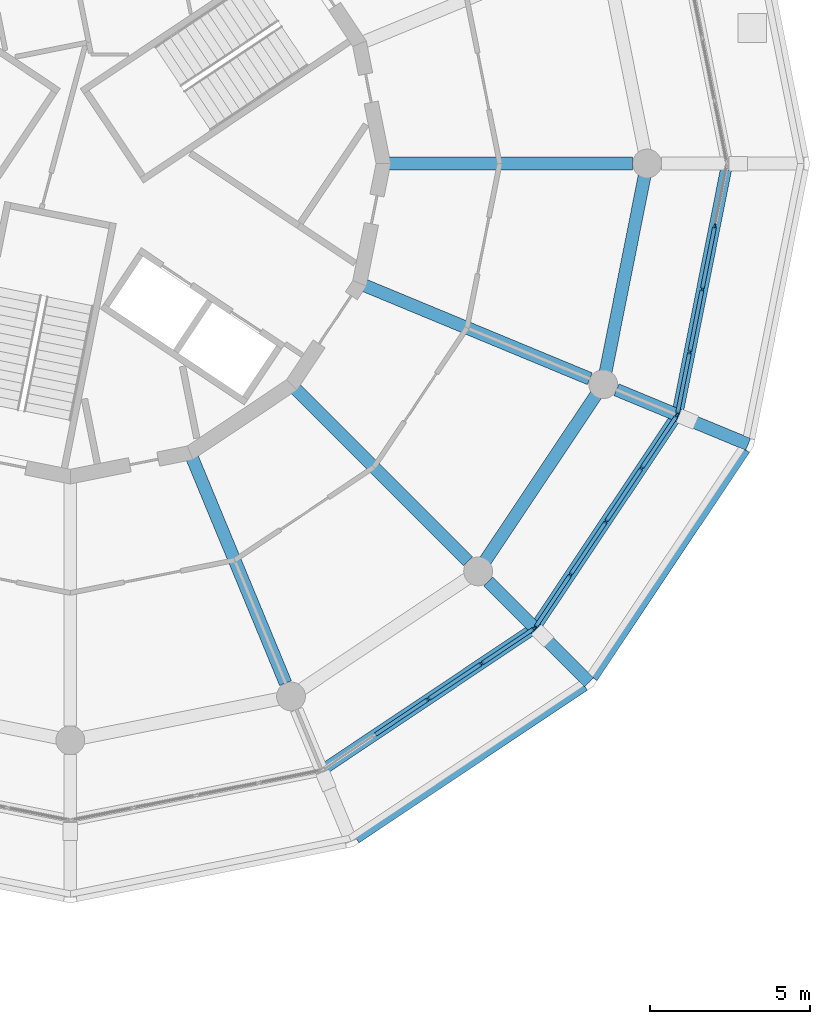
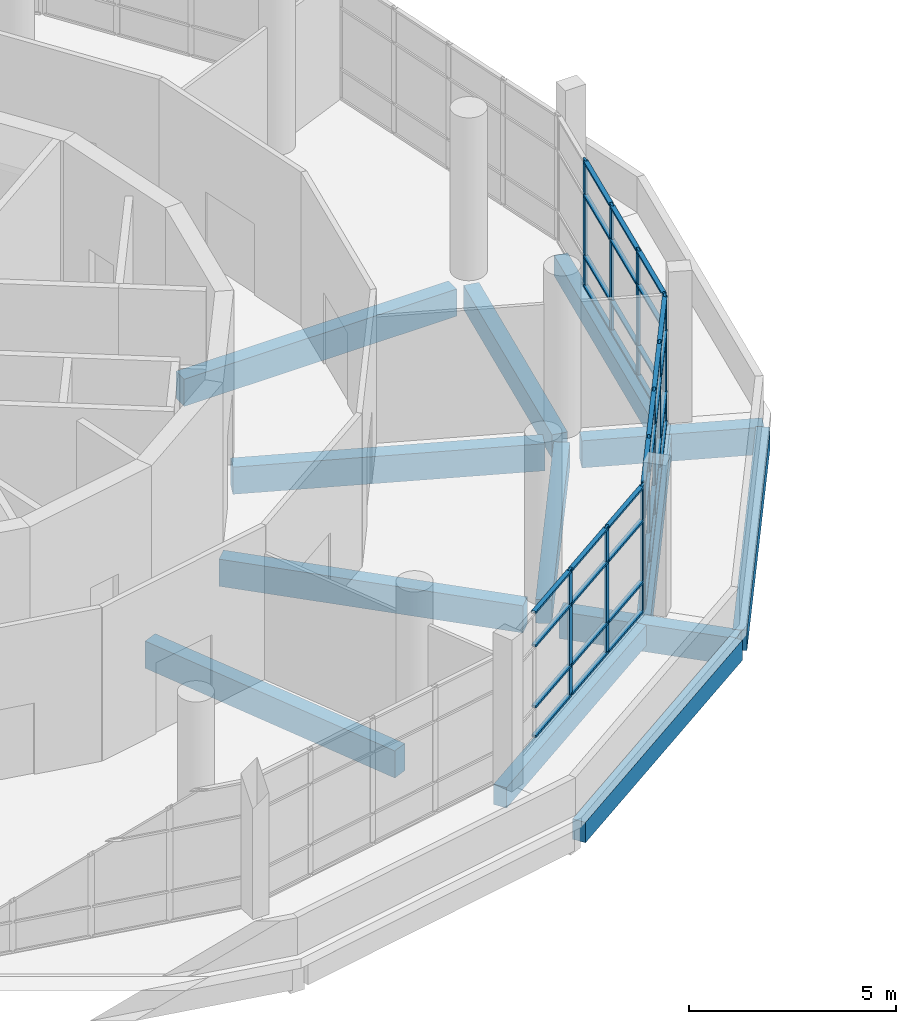
# One storey, part 6 of 21: 52 members, 13 beams, 3 elements without a shape of their own.
"""IFC4 building model written with IfcOpenShell, lengths in metres."""

from ifc_helpers import new_model, si_unit, direction, frame, origin, origin_2d, place, context, subcontext, project, spatial, rectangle, extrude, material, material_profile, profile_set, type_object, element, aggregate, save


model = new_model("IFC4")

# Units and contexts
model_context = context("Model", 3, precision=1e-05, world=origin(), true_north=direction((0.0, 1.0)))
body_context = subcontext(model_context, "Body", "Model", "MODEL_VIEW")
ifc_project = project(units=[si_unit("LENGTHUNIT", "METRE"), si_unit("AREAUNIT", "SQUARE_METRE"), si_unit("VOLUMEUNIT", "CUBIC_METRE"), si_unit("PLANEANGLEUNIT", "RADIAN"), si_unit("MASSUNIT", "GRAM", prefix="KILO")], contexts=[model_context])

# Site, building, storey
site_placement = place(None, origin())
site = spatial("IfcSite", under=ifc_project, at=site_placement, CompositionType="ELEMENT")
building_placement = place(site_placement, origin())
building = spatial("IfcBuilding", under=site, at=building_placement, Name="Ceibo Conservatory and Research Tower", CompositionType="ELEMENT")
storey_placement = place(building_placement, frame((0.0, 0.0, 15.60009765625)))
storey = spatial("IfcBuildingStorey", under=building, at=storey_placement, Name="L03", CompositionType="ELEMENT", Elevation=15.60009765625)

# Curtain wall, members
ifc_material_1 = material(Name="Aluminium and glass", Category="aluminium")
curtain_wall_type = type_object("IfcCurtainWallType", Name="Curtain wall CW1", PredefinedType="NOTDEFINED", material=ifc_material_1)
curtain_wall_1_placement = place(storey_placement, origin())
curtain_wall_1 = element("IfcCurtainWall", 1, at=curtain_wall_1_placement, inside=storey, type_object=curtain_wall_type, Name="CW-03.14", PredefinedType="NOTDEFINED")
ifc_material_2 = material(Name="Aluminium", Category="aluminium")
ifc_material_profile_1 = material_profile(ifc_material_2, rectangle(XDim=0.06005859375, YDim=0.159912109375, at=origin_2d()), Name="Aluminium 60 x 160")
ifc_profile_set_1 = profile_set([ifc_material_profile_1], Name="Aluminium")
member_type_1 = type_object("IfcMemberType", Name="Aluminium mullion 60 x 160", PredefinedType="MULLION", material=ifc_profile_set_1)
member_1_placement = place(storey_placement, frame((59.17041015625, 103.282470703125, 0.0), z_axis=(0.0, 0.0, 1.0), x_axis=(-0.555570178092, 0.831469649004, 0.0)))
member_1 = element("IfcMember", 2, at=member_1_placement, type_object=member_type_1, Name="CW-03.14 mullion 3", PredefinedType="MULLION", context=body_context, shape_type="SweptSolid", body=[
    extrude(rectangle(XDim=0.06005859375, YDim=0.159912109375, at=origin_2d()), origin(), (0.0, 0.0, 1.0), 3.719970703125),
])
member_2_placement = place(storey_placement, frame((60.8330078125, 104.393310546875, 0.0), z_axis=(0.0, 0.0, 1.0), x_axis=(-0.555570178092, 0.831469649004, 0.0)))
member_2 = element("IfcMember", 3, at=member_2_placement, type_object=member_type_1, Name="CW-03.14 mullion 4", PredefinedType="MULLION", context=body_context, shape_type="SweptSolid", body=[
    extrude(rectangle(XDim=0.06005859375, YDim=0.159912109375, at=origin_2d()), origin(), (0.0, 0.0, 1.0), 3.719970703125),
])
member_3_placement = place(storey_placement, frame((62.470703125, 105.487548828125, 0.0), z_axis=(0.0, 0.0, 1.0), x_axis=(-0.555570178092, 0.831469649004, 0.0)))
member_3 = element("IfcMember", 4, at=member_3_placement, type_object=member_type_1, Name="CW-03.14 mullion 5", PredefinedType="MULLION", context=body_context, shape_type="SweptSolid", body=[
    extrude(rectangle(XDim=0.06005859375, YDim=0.159912109375, at=origin_2d()), origin(), (0.0, 0.0, 1.0), 3.719970703125),
])

curtain_wall_2_placement = place(storey_placement, origin())
curtain_wall_2 = element("IfcCurtainWall", 5, at=curtain_wall_2_placement, inside=storey, type_object=curtain_wall_type, Name="CW-03.15", PredefinedType="NOTDEFINED")
member_4_placement = place(storey_placement, frame((62.512451171875, 105.529296875, 0.0), z_axis=(0.0, 0.0, 1.0), x_axis=(-0.831469649004, 0.555570178092, 0.0)))
member_4 = element("IfcMember", 6, at=member_4_placement, type_object=member_type_1, Name="CW-03.15 mullion 1", PredefinedType="MULLION", context=body_context, shape_type="SweptSolid", body=[
    extrude(rectangle(XDim=0.06005859375, YDim=0.159912109375, at=origin_2d()), origin(), (0.0, 0.0, 1.0), 3.719970703125),
])
member_5_placement = place(storey_placement, frame((63.606689453125, 107.1669921875, 0.0), z_axis=(0.0, 0.0, 1.0), x_axis=(-0.831469649004, 0.555570178092, 0.0)))
member_5 = element("IfcMember", 7, at=member_5_placement, type_object=member_type_1, Name="CW-03.15 mullion 2", PredefinedType="MULLION", context=body_context, shape_type="SweptSolid", body=[
    extrude(rectangle(XDim=0.06005859375, YDim=0.159912109375, at=origin_2d()), origin(), (0.0, 0.0, 1.0), 3.719970703125),
])
member_6_placement = place(storey_placement, frame((64.717529296875, 108.82958984375, 0.0), z_axis=(0.0, 0.0, 1.0), x_axis=(-0.831469649004, 0.555570178092, 0.0)))
member_6 = element("IfcMember", 8, at=member_6_placement, type_object=member_type_1, Name="CW-03.15 mullion 3", PredefinedType="MULLION", context=body_context, shape_type="SweptSolid", body=[
    extrude(rectangle(XDim=0.06005859375, YDim=0.159912109375, at=origin_2d()), origin(), (0.0, 0.0, 1.0), 3.719970703125),
])
member_7_placement = place(storey_placement, frame((65.82861328125, 110.492431640625, 0.0), z_axis=(0.0, 0.0, 1.0), x_axis=(-0.831469649004, 0.555570178092, 0.0)))
member_7 = element("IfcMember", 9, at=member_7_placement, type_object=member_type_1, Name="CW-03.15 mullion 4", PredefinedType="MULLION", context=body_context, shape_type="SweptSolid", body=[
    extrude(rectangle(XDim=0.06005859375, YDim=0.159912109375, at=origin_2d()), origin(), (0.0, 0.0, 1.0), 3.719970703125),
])
member_8_placement = place(storey_placement, frame((66.9228515625, 112.130126953125, 0.0), z_axis=(0.0, 0.0, 1.0), x_axis=(-0.831469649004, 0.555570178092, 0.0)))
member_8 = element("IfcMember", 10, at=member_8_placement, type_object=member_type_1, Name="CW-03.15 mullion 5", PredefinedType="MULLION", context=body_context, shape_type="SweptSolid", body=[
    extrude(rectangle(XDim=0.06005859375, YDim=0.159912109375, at=origin_2d()), origin(), (0.0, 0.0, 1.0), 3.719970703125),
])

curtain_wall_3_placement = place(storey_placement, origin())
curtain_wall_3 = element("IfcCurtainWall", 11, at=curtain_wall_3_placement, inside=storey, type_object=curtain_wall_type, Name="CW-03.16", PredefinedType="NOTDEFINED")
member_9_placement = place(storey_placement, frame((66.9453125, 112.184326171875, 0.0), z_axis=(0.0, 0.0, 1.0), x_axis=(-0.980785268711, 0.195090380799, 0.0)))
member_9 = element("IfcMember", 12, at=member_9_placement, type_object=member_type_1, Name="CW-03.16 mullion 1", PredefinedType="MULLION", context=body_context, shape_type="SweptSolid", body=[
    extrude(rectangle(XDim=0.06005859375, YDim=0.159912109375, at=origin_2d()), origin(), (0.0, 0.0, 1.0), 3.719970703125),
])
member_10_placement = place(storey_placement, frame((67.32958984375, 114.1162109375, 0.0), z_axis=(0.0, 0.0, 1.0), x_axis=(-0.980785268711, 0.195090380799, 0.0)))
member_10 = element("IfcMember", 13, at=member_10_placement, type_object=member_type_1, Name="CW-03.16 mullion 2", PredefinedType="MULLION", context=body_context, shape_type="SweptSolid", body=[
    extrude(rectangle(XDim=0.06005859375, YDim=0.159912109375, at=origin_2d()), origin(), (0.0, 0.0, 1.0), 3.719970703125),
])
member_11_placement = place(storey_placement, frame((67.7197265625, 116.077392578125, 0.0), z_axis=(0.0, 0.0, 1.0), x_axis=(-0.980785268711, 0.195090380799, 0.0)))
member_11 = element("IfcMember", 14, at=member_11_placement, type_object=member_type_1, Name="CW-03.16 mullion 3", PredefinedType="MULLION", context=body_context, shape_type="SweptSolid", body=[
    extrude(rectangle(XDim=0.06005859375, YDim=0.159912109375, at=origin_2d()), origin(), (0.0, 0.0, 1.0), 3.719970703125),
])
member_12_placement = place(storey_placement, frame((68.10986328125, 118.038818359375, 0.0), z_axis=(0.0, 0.0, 1.0), x_axis=(-0.980785268711, 0.195090380799, 0.0)))
member_12 = element("IfcMember", 15, at=member_12_placement, type_object=member_type_1, Name="CW-03.16 mullion 4", PredefinedType="MULLION", context=body_context, shape_type="SweptSolid", body=[
    extrude(rectangle(XDim=0.06005859375, YDim=0.159912109375, at=origin_2d()), origin(), (0.0, 0.0, 1.0), 3.719970703125),
])

# Member
ifc_material_profile_2 = material_profile(ifc_material_2, rectangle(XDim=0.1201171875, YDim=0.06005859375, at=origin_2d()), Name="Aluminium 60 x 120")
ifc_profile_set_2 = profile_set([ifc_material_profile_2], Name="Aluminium")
member_type_2 = type_object("IfcMemberType", Name="Aluminium transom 60 x 120", PredefinedType="USERDEFINED", material=ifc_profile_set_2)
member_13_placement = place(storey_placement, frame((57.53271484375, 102.18798828125, 0.02978515625), z_axis=(0.831468919367, 0.55557127007, 0.0), x_axis=(-0.55557127007, 0.831468919367, 0.0)))
member_13 = element("IfcMember", 16, at=member_13_placement, type_object=member_type_2, Name="CW-03.14 transom 2.1", ObjectType="TRANSOM", PredefinedType="USERDEFINED", context=body_context, shape_type="SweptSolid", body=[
    extrude(rectangle(XDim=0.1201171875, YDim=0.06005859375, at=origin_2d()), origin(), (0.0, 0.0, 1.0), 1.939697265625),
])

member_14_placement = place(storey_placement, frame((57.53271484375, 102.18798828125, 0.89990234375), z_axis=(0.831468919367, 0.55557127007, 0.0), x_axis=(-0.55557127007, 0.831468919367, 0.0)))
member_14 = element("IfcMember", 17, at=member_14_placement, type_object=member_type_2, Name="CW-03.14 transom 2.2", ObjectType="TRANSOM", PredefinedType="USERDEFINED", context=body_context, shape_type="SweptSolid", body=[
    extrude(rectangle(XDim=0.1201171875, YDim=0.06005859375, at=origin_2d()), origin(), (0.0, 0.0, 1.0), 1.939697265625),
])

member_15_placement = place(storey_placement, frame((57.53271484375, 102.18798828125, 2.699951171875), z_axis=(0.831468919367, 0.55557127007, 0.0), x_axis=(-0.55557127007, 0.831468919367, 0.0)))
member_15 = element("IfcMember", 18, at=member_15_placement, type_object=member_type_2, Name="CW-03.14 transom 2.3", ObjectType="TRANSOM", PredefinedType="USERDEFINED", context=body_context, shape_type="SweptSolid", body=[
    extrude(rectangle(XDim=0.1201171875, YDim=0.06005859375, at=origin_2d()), origin(), (0.0, 0.0, 1.0), 1.939697265625),
])

member_16_placement = place(storey_placement, frame((57.53271484375, 102.18798828125, 3.68994140625), z_axis=(0.831468919367, 0.55557127007, 0.0), x_axis=(-0.55557127007, 0.831468919367, 0.0)))
member_16 = element("IfcMember", 19, at=member_16_placement, type_object=member_type_2, Name="CW-03.14 transom 2.4", ObjectType="TRANSOM", PredefinedType="USERDEFINED", context=body_context, shape_type="SweptSolid", body=[
    extrude(rectangle(XDim=0.1201171875, YDim=0.06005859375, at=origin_2d()), origin(), (0.0, 0.0, 1.0), 1.939697265625),
])

member_17_placement = place(storey_placement, frame((59.1953125, 103.299072265625, 0.02978515625), z_axis=(0.831468919367, 0.55557127007, 0.0), x_axis=(-0.55557127007, 0.831468919367, 0.0)))
member_17 = element("IfcMember", 20, at=member_17_placement, type_object=member_type_2, Name="CW-03.14 transom 3.1", ObjectType="TRANSOM", PredefinedType="USERDEFINED", context=body_context, shape_type="SweptSolid", body=[
    extrude(rectangle(XDim=0.1201171875, YDim=0.06005859375, at=origin_2d()), origin(), (0.0, 0.0, 1.0), 1.939697265625),
])

member_18_placement = place(storey_placement, frame((59.1953125, 103.299072265625, 0.89990234375), z_axis=(0.831468919367, 0.55557127007, 0.0), x_axis=(-0.55557127007, 0.831468919367, 0.0)))
member_18 = element("IfcMember", 21, at=member_18_placement, type_object=member_type_2, Name="CW-03.14 transom 3.2", ObjectType="TRANSOM", PredefinedType="USERDEFINED", context=body_context, shape_type="SweptSolid", body=[
    extrude(rectangle(XDim=0.1201171875, YDim=0.06005859375, at=origin_2d()), origin(), (0.0, 0.0, 1.0), 1.939697265625),
])

member_19_placement = place(storey_placement, frame((59.1953125, 103.299072265625, 2.699951171875), z_axis=(0.831468919367, 0.55557127007, 0.0), x_axis=(-0.55557127007, 0.831468919367, 0.0)))
member_19 = element("IfcMember", 22, at=member_19_placement, type_object=member_type_2, Name="CW-03.14 transom 3.3", ObjectType="TRANSOM", PredefinedType="USERDEFINED", context=body_context, shape_type="SweptSolid", body=[
    extrude(rectangle(XDim=0.1201171875, YDim=0.06005859375, at=origin_2d()), origin(), (0.0, 0.0, 1.0), 1.939697265625),
])

member_20_placement = place(storey_placement, frame((59.1953125, 103.299072265625, 3.68994140625), z_axis=(0.831468919367, 0.55557127007, 0.0), x_axis=(-0.55557127007, 0.831468919367, 0.0)))
member_20 = element("IfcMember", 23, at=member_20_placement, type_object=member_type_2, Name="CW-03.14 transom 3.4", ObjectType="TRANSOM", PredefinedType="USERDEFINED", context=body_context, shape_type="SweptSolid", body=[
    extrude(rectangle(XDim=0.1201171875, YDim=0.06005859375, at=origin_2d()), origin(), (0.0, 0.0, 1.0), 1.939697265625),
])

member_21_placement = place(storey_placement, frame((60.85791015625, 104.409912109375, 0.02978515625), z_axis=(0.831459801075, 0.555584916278, 0.0), x_axis=(-0.555584916278, 0.831459801075, 0.0)))
member_21 = element("IfcMember", 24, at=member_21_placement, type_object=member_type_2, Name="CW-03.14 transom 4.1", ObjectType="TRANSOM", PredefinedType="USERDEFINED", context=body_context, shape_type="SweptSolid", body=[
    extrude(rectangle(XDim=0.1201171875, YDim=0.06005859375, at=origin_2d()), origin(), (0.0, 0.0, 1.0), 1.90966796875),
])

member_22_placement = place(storey_placement, frame((60.85791015625, 104.409912109375, 0.89990234375), z_axis=(0.831459801075, 0.555584916278, 0.0), x_axis=(-0.555584916278, 0.831459801075, 0.0)))
member_22 = element("IfcMember", 25, at=member_22_placement, type_object=member_type_2, Name="CW-03.14 transom 4.2", ObjectType="TRANSOM", PredefinedType="USERDEFINED", context=body_context, shape_type="SweptSolid", body=[
    extrude(rectangle(XDim=0.1201171875, YDim=0.06005859375, at=origin_2d()), origin(), (0.0, 0.0, 1.0), 1.90966796875),
])

member_23_placement = place(storey_placement, frame((60.85791015625, 104.409912109375, 2.699951171875), z_axis=(0.831459801075, 0.555584916278, 0.0), x_axis=(-0.555584916278, 0.831459801075, 0.0)))
member_23 = element("IfcMember", 26, at=member_23_placement, type_object=member_type_2, Name="CW-03.14 transom 4.3", ObjectType="TRANSOM", PredefinedType="USERDEFINED", context=body_context, shape_type="SweptSolid", body=[
    extrude(rectangle(XDim=0.1201171875, YDim=0.06005859375, at=origin_2d()), origin(), (0.0, 0.0, 1.0), 1.90966796875),
])

member_24_placement = place(storey_placement, frame((60.85791015625, 104.409912109375, 3.68994140625), z_axis=(0.831459801075, 0.555584916278, 0.0), x_axis=(-0.555584916278, 0.831459801075, 0.0)))
member_24 = element("IfcMember", 27, at=member_24_placement, type_object=member_type_2, Name="CW-03.14 transom 4.4", ObjectType="TRANSOM", PredefinedType="USERDEFINED", context=body_context, shape_type="SweptSolid", body=[
    extrude(rectangle(XDim=0.1201171875, YDim=0.06005859375, at=origin_2d()), origin(), (0.0, 0.0, 1.0), 1.90966796875),
])

aggregate(curtain_wall_1, [member_1, member_2, member_3, member_13, member_14, member_15, member_16, member_17, member_18, member_19, member_20, member_21, member_22, member_23, member_24])

member_25_placement = place(storey_placement, frame((62.529052734375, 105.55419921875, 0.02978515625), z_axis=(0.555584916278, 0.831459801075, 0.0), x_axis=(-0.831459801075, 0.555584916278, 0.0)))
member_25 = element("IfcMember", 28, at=member_25_placement, type_object=member_type_2, Name="CW-03.15 transom 1.1", ObjectType="TRANSOM", PredefinedType="USERDEFINED", context=body_context, shape_type="SweptSolid", body=[
    extrude(rectangle(XDim=0.1201171875, YDim=0.06005859375, at=origin_2d()), origin(), (0.0, 0.0, 1.0), 1.90966796875),
])

member_26_placement = place(storey_placement, frame((62.529052734375, 105.55419921875, 0.89990234375), z_axis=(0.555584916278, 0.831459801075, 0.0), x_axis=(-0.831459801075, 0.555584916278, 0.0)))
member_26 = element("IfcMember", 29, at=member_26_placement, type_object=member_type_2, Name="CW-03.15 transom 1.2", ObjectType="TRANSOM", PredefinedType="USERDEFINED", context=body_context, shape_type="SweptSolid", body=[
    extrude(rectangle(XDim=0.1201171875, YDim=0.06005859375, at=origin_2d()), origin(), (0.0, 0.0, 1.0), 1.90966796875),
])

member_27_placement = place(storey_placement, frame((62.529052734375, 105.55419921875, 2.699951171875), z_axis=(0.555584916278, 0.831459801075, 0.0), x_axis=(-0.831459801075, 0.555584916278, 0.0)))
member_27 = element("IfcMember", 30, at=member_27_placement, type_object=member_type_2, Name="CW-03.15 transom 1.3", ObjectType="TRANSOM", PredefinedType="USERDEFINED", context=body_context, shape_type="SweptSolid", body=[
    extrude(rectangle(XDim=0.1201171875, YDim=0.06005859375, at=origin_2d()), origin(), (0.0, 0.0, 1.0), 1.90966796875),
])

member_28_placement = place(storey_placement, frame((62.529052734375, 105.55419921875, 3.68994140625), z_axis=(0.555584916278, 0.831459801075, 0.0), x_axis=(-0.831459801075, 0.555584916278, 0.0)))
member_28 = element("IfcMember", 31, at=member_28_placement, type_object=member_type_2, Name="CW-03.15 transom 1.4", ObjectType="TRANSOM", PredefinedType="USERDEFINED", context=body_context, shape_type="SweptSolid", body=[
    extrude(rectangle(XDim=0.1201171875, YDim=0.06005859375, at=origin_2d()), origin(), (0.0, 0.0, 1.0), 1.90966796875),
])

member_29_placement = place(storey_placement, frame((63.623291015625, 107.19189453125, 0.02978515625), z_axis=(0.55557127007, 0.831468919367, 0.0), x_axis=(-0.831468919367, 0.55557127007, 0.0)))
member_29 = element("IfcMember", 32, at=member_29_placement, type_object=member_type_2, Name="CW-03.15 transom 2.1", ObjectType="TRANSOM", PredefinedType="USERDEFINED", context=body_context, shape_type="SweptSolid", body=[
    extrude(rectangle(XDim=0.1201171875, YDim=0.06005859375, at=origin_2d()), origin(), (0.0, 0.0, 1.0), 1.939697265625),
])

member_30_placement = place(storey_placement, frame((63.623291015625, 107.19189453125, 0.89990234375), z_axis=(0.55557127007, 0.831468919367, 0.0), x_axis=(-0.831468919367, 0.55557127007, 0.0)))
member_30 = element("IfcMember", 33, at=member_30_placement, type_object=member_type_2, Name="CW-03.15 transom 2.2", ObjectType="TRANSOM", PredefinedType="USERDEFINED", context=body_context, shape_type="SweptSolid", body=[
    extrude(rectangle(XDim=0.1201171875, YDim=0.06005859375, at=origin_2d()), origin(), (0.0, 0.0, 1.0), 1.939697265625),
])

member_31_placement = place(storey_placement, frame((63.623291015625, 107.19189453125, 2.699951171875), z_axis=(0.55557127007, 0.831468919367, 0.0), x_axis=(-0.831468919367, 0.55557127007, 0.0)))
member_31 = element("IfcMember", 34, at=member_31_placement, type_object=member_type_2, Name="CW-03.15 transom 2.3", ObjectType="TRANSOM", PredefinedType="USERDEFINED", context=body_context, shape_type="SweptSolid", body=[
    extrude(rectangle(XDim=0.1201171875, YDim=0.06005859375, at=origin_2d()), origin(), (0.0, 0.0, 1.0), 1.939697265625),
])

member_32_placement = place(storey_placement, frame((63.623291015625, 107.19189453125, 3.68994140625), z_axis=(0.55557127007, 0.831468919367, 0.0), x_axis=(-0.831468919367, 0.55557127007, 0.0)))
member_32 = element("IfcMember", 35, at=member_32_placement, type_object=member_type_2, Name="CW-03.15 transom 2.4", ObjectType="TRANSOM", PredefinedType="USERDEFINED", context=body_context, shape_type="SweptSolid", body=[
    extrude(rectangle(XDim=0.1201171875, YDim=0.06005859375, at=origin_2d()), origin(), (0.0, 0.0, 1.0), 1.939697265625),
])

member_33_placement = place(storey_placement, frame((64.734375, 108.8544921875, 0.02978515625), z_axis=(0.55557127007, 0.831468919367, 0.0), x_axis=(-0.831468919367, 0.55557127007, 0.0)))
member_33 = element("IfcMember", 36, at=member_33_placement, type_object=member_type_2, Name="CW-03.15 transom 3.1", ObjectType="TRANSOM", PredefinedType="USERDEFINED", context=body_context, shape_type="SweptSolid", body=[
    extrude(rectangle(XDim=0.1201171875, YDim=0.06005859375, at=origin_2d()), origin(), (0.0, 0.0, 1.0), 1.939697265625),
])

member_34_placement = place(storey_placement, frame((64.734375, 108.8544921875, 0.89990234375), z_axis=(0.55557127007, 0.831468919367, 0.0), x_axis=(-0.831468919367, 0.55557127007, 0.0)))
member_34 = element("IfcMember", 37, at=member_34_placement, type_object=member_type_2, Name="CW-03.15 transom 3.2", ObjectType="TRANSOM", PredefinedType="USERDEFINED", context=body_context, shape_type="SweptSolid", body=[
    extrude(rectangle(XDim=0.1201171875, YDim=0.06005859375, at=origin_2d()), origin(), (0.0, 0.0, 1.0), 1.939697265625),
])

member_35_placement = place(storey_placement, frame((64.734375, 108.8544921875, 2.699951171875), z_axis=(0.55557127007, 0.831468919367, 0.0), x_axis=(-0.831468919367, 0.55557127007, 0.0)))
member_35 = element("IfcMember", 38, at=member_35_placement, type_object=member_type_2, Name="CW-03.15 transom 3.3", ObjectType="TRANSOM", PredefinedType="USERDEFINED", context=body_context, shape_type="SweptSolid", body=[
    extrude(rectangle(XDim=0.1201171875, YDim=0.06005859375, at=origin_2d()), origin(), (0.0, 0.0, 1.0), 1.939697265625),
])

member_36_placement = place(storey_placement, frame((64.734375, 108.8544921875, 3.68994140625), z_axis=(0.55557127007, 0.831468919367, 0.0), x_axis=(-0.831468919367, 0.55557127007, 0.0)))
member_36 = element("IfcMember", 39, at=member_36_placement, type_object=member_type_2, Name="CW-03.15 transom 3.4", ObjectType="TRANSOM", PredefinedType="USERDEFINED", context=body_context, shape_type="SweptSolid", body=[
    extrude(rectangle(XDim=0.1201171875, YDim=0.06005859375, at=origin_2d()), origin(), (0.0, 0.0, 1.0), 1.939697265625),
])

member_37_placement = place(storey_placement, frame((65.84521484375, 110.517333984375, 0.02978515625), z_axis=(0.555643975577, 0.831420334371, 0.0), x_axis=(-0.831420334371, 0.555643975577, 0.0)))
member_37 = element("IfcMember", 40, at=member_37_placement, type_object=member_type_2, Name="CW-03.15 transom 4.1", ObjectType="TRANSOM", PredefinedType="USERDEFINED", context=body_context, shape_type="SweptSolid", body=[
    extrude(rectangle(XDim=0.1201171875, YDim=0.06005859375, at=origin_2d()), origin(), (0.0, 0.0, 1.0), 1.90966796875),
])

member_38_placement = place(storey_placement, frame((65.84521484375, 110.517333984375, 0.89990234375), z_axis=(0.555643975577, 0.831420334371, 0.0), x_axis=(-0.831420334371, 0.555643975577, 0.0)))
member_38 = element("IfcMember", 41, at=member_38_placement, type_object=member_type_2, Name="CW-03.15 transom 4.2", ObjectType="TRANSOM", PredefinedType="USERDEFINED", context=body_context, shape_type="SweptSolid", body=[
    extrude(rectangle(XDim=0.1201171875, YDim=0.06005859375, at=origin_2d()), origin(), (0.0, 0.0, 1.0), 1.90966796875),
])

member_39_placement = place(storey_placement, frame((65.84521484375, 110.517333984375, 2.699951171875), z_axis=(0.555643975577, 0.831420334371, 0.0), x_axis=(-0.831420334371, 0.555643975577, 0.0)))
member_39 = element("IfcMember", 42, at=member_39_placement, type_object=member_type_2, Name="CW-03.15 transom 4.3", ObjectType="TRANSOM", PredefinedType="USERDEFINED", context=body_context, shape_type="SweptSolid", body=[
    extrude(rectangle(XDim=0.1201171875, YDim=0.06005859375, at=origin_2d()), origin(), (0.0, 0.0, 1.0), 1.90966796875),
])

member_40_placement = place(storey_placement, frame((65.84521484375, 110.517333984375, 3.68994140625), z_axis=(0.555643975577, 0.831420334371, 0.0), x_axis=(-0.831420334371, 0.555643975577, 0.0)))
member_40 = element("IfcMember", 43, at=member_40_placement, type_object=member_type_2, Name="CW-03.15 transom 4.4", ObjectType="TRANSOM", PredefinedType="USERDEFINED", context=body_context, shape_type="SweptSolid", body=[
    extrude(rectangle(XDim=0.1201171875, YDim=0.06005859375, at=origin_2d()), origin(), (0.0, 0.0, 1.0), 1.90966796875),
])

aggregate(curtain_wall_2, [member_4, member_5, member_6, member_7, member_8, member_25, member_26, member_27, member_28, member_29, member_30, member_31, member_32, member_33, member_34, member_35, member_36, member_37, member_38, member_39, member_40])

member_41_placement = place(storey_placement, frame((66.951171875, 112.2138671875, 0.02978515625), z_axis=(0.195083474499, 0.980786642434, 0.0), x_axis=(-0.980786642434, 0.195083474499, 0.0)))
member_41 = element("IfcMember", 44, at=member_41_placement, type_object=member_type_2, Name="CW-03.16 transom 1.1", ObjectType="TRANSOM", PredefinedType="USERDEFINED", context=body_context, shape_type="SweptSolid", body=[
    extrude(rectangle(XDim=0.1201171875, YDim=0.06005859375, at=origin_2d()), origin(), (0.0, 0.0, 1.0), 1.90966796875),
])

member_42_placement = place(storey_placement, frame((66.951171875, 112.2138671875, 0.89990234375), z_axis=(0.195083474499, 0.980786642434, 0.0), x_axis=(-0.980786642434, 0.195083474499, 0.0)))
member_42 = element("IfcMember", 45, at=member_42_placement, type_object=member_type_2, Name="CW-03.16 transom 1.2", ObjectType="TRANSOM", PredefinedType="USERDEFINED", context=body_context, shape_type="SweptSolid", body=[
    extrude(rectangle(XDim=0.1201171875, YDim=0.06005859375, at=origin_2d()), origin(), (0.0, 0.0, 1.0), 1.90966796875),
])

member_43_placement = place(storey_placement, frame((66.951171875, 112.2138671875, 2.699951171875), z_axis=(0.195083474499, 0.980786642434, 0.0), x_axis=(-0.980786642434, 0.195083474499, 0.0)))
member_43 = element("IfcMember", 46, at=member_43_placement, type_object=member_type_2, Name="CW-03.16 transom 1.3", ObjectType="TRANSOM", PredefinedType="USERDEFINED", context=body_context, shape_type="SweptSolid", body=[
    extrude(rectangle(XDim=0.1201171875, YDim=0.06005859375, at=origin_2d()), origin(), (0.0, 0.0, 1.0), 1.90966796875),
])

member_44_placement = place(storey_placement, frame((66.951171875, 112.2138671875, 3.68994140625), z_axis=(0.195083474499, 0.980786642434, 0.0), x_axis=(-0.980786642434, 0.195083474499, 0.0)))
member_44 = element("IfcMember", 47, at=member_44_placement, type_object=member_type_2, Name="CW-03.16 transom 1.4", ObjectType="TRANSOM", PredefinedType="USERDEFINED", context=body_context, shape_type="SweptSolid", body=[
    extrude(rectangle(XDim=0.1201171875, YDim=0.06005859375, at=origin_2d()), origin(), (0.0, 0.0, 1.0), 1.90966796875),
])

member_45_placement = place(storey_placement, frame((67.33544921875, 114.145751953125, 0.02978515625), z_axis=(0.195099382826, 0.980783478053, 0.0), x_axis=(-0.980783478053, 0.195099382826, 0.0)))
member_45 = element("IfcMember", 48, at=member_45_placement, type_object=member_type_2, Name="CW-03.16 transom 2.1", ObjectType="TRANSOM", PredefinedType="USERDEFINED", context=body_context, shape_type="SweptSolid", body=[
    extrude(rectangle(XDim=0.1201171875, YDim=0.06005859375, at=origin_2d()), origin(), (0.0, 0.0, 1.0), 1.939697265625),
])

member_46_placement = place(storey_placement, frame((67.33544921875, 114.145751953125, 0.89990234375), z_axis=(0.195099382826, 0.980783478053, 0.0), x_axis=(-0.980783478053, 0.195099382826, 0.0)))
member_46 = element("IfcMember", 49, at=member_46_placement, type_object=member_type_2, Name="CW-03.16 transom 2.2", ObjectType="TRANSOM", PredefinedType="USERDEFINED", context=body_context, shape_type="SweptSolid", body=[
    extrude(rectangle(XDim=0.1201171875, YDim=0.06005859375, at=origin_2d()), origin(), (0.0, 0.0, 1.0), 1.939697265625),
])

member_47_placement = place(storey_placement, frame((67.33544921875, 114.145751953125, 2.699951171875), z_axis=(0.195099382826, 0.980783478053, 0.0), x_axis=(-0.980783478053, 0.195099382826, 0.0)))
member_47 = element("IfcMember", 50, at=member_47_placement, type_object=member_type_2, Name="CW-03.16 transom 2.3", ObjectType="TRANSOM", PredefinedType="USERDEFINED", context=body_context, shape_type="SweptSolid", body=[
    extrude(rectangle(XDim=0.1201171875, YDim=0.06005859375, at=origin_2d()), origin(), (0.0, 0.0, 1.0), 1.939697265625),
])

member_48_placement = place(storey_placement, frame((67.33544921875, 114.145751953125, 3.68994140625), z_axis=(0.195099382826, 0.980783478053, 0.0), x_axis=(-0.980783478053, 0.195099382826, 0.0)))
member_48 = element("IfcMember", 51, at=member_48_placement, type_object=member_type_2, Name="CW-03.16 transom 2.4", ObjectType="TRANSOM", PredefinedType="USERDEFINED", context=body_context, shape_type="SweptSolid", body=[
    extrude(rectangle(XDim=0.1201171875, YDim=0.06005859375, at=origin_2d()), origin(), (0.0, 0.0, 1.0), 1.939697265625),
])

member_49_placement = place(storey_placement, frame((67.7255859375, 116.10693359375, 0.02978515625), z_axis=(0.195099382826, 0.980783478053, 0.0), x_axis=(-0.980783478053, 0.195099382826, 0.0)))
member_49 = element("IfcMember", 52, at=member_49_placement, type_object=member_type_2, Name="CW-03.16 transom 3.1", ObjectType="TRANSOM", PredefinedType="USERDEFINED", context=body_context, shape_type="SweptSolid", body=[
    extrude(rectangle(XDim=0.1201171875, YDim=0.06005859375, at=origin_2d()), origin(), (0.0, 0.0, 1.0), 1.939697265625),
])

member_50_placement = place(storey_placement, frame((67.7255859375, 116.10693359375, 0.89990234375), z_axis=(0.195099382826, 0.980783478053, 0.0), x_axis=(-0.980783478053, 0.195099382826, 0.0)))
member_50 = element("IfcMember", 53, at=member_50_placement, type_object=member_type_2, Name="CW-03.16 transom 3.2", ObjectType="TRANSOM", PredefinedType="USERDEFINED", context=body_context, shape_type="SweptSolid", body=[
    extrude(rectangle(XDim=0.1201171875, YDim=0.06005859375, at=origin_2d()), origin(), (0.0, 0.0, 1.0), 1.939697265625),
])

member_51_placement = place(storey_placement, frame((67.7255859375, 116.10693359375, 2.699951171875), z_axis=(0.195099382826, 0.980783478053, 0.0), x_axis=(-0.980783478053, 0.195099382826, 0.0)))
member_51 = element("IfcMember", 54, at=member_51_placement, type_object=member_type_2, Name="CW-03.16 transom 3.3", ObjectType="TRANSOM", PredefinedType="USERDEFINED", context=body_context, shape_type="SweptSolid", body=[
    extrude(rectangle(XDim=0.1201171875, YDim=0.06005859375, at=origin_2d()), origin(), (0.0, 0.0, 1.0), 1.939697265625),
])

member_52_placement = place(storey_placement, frame((67.7255859375, 116.10693359375, 3.68994140625), z_axis=(0.195099382826, 0.980783478053, 0.0), x_axis=(-0.980783478053, 0.195099382826, 0.0)))
member_52 = element("IfcMember", 55, at=member_52_placement, type_object=member_type_2, Name="CW-03.16 transom 3.4", ObjectType="TRANSOM", PredefinedType="USERDEFINED", context=body_context, shape_type="SweptSolid", body=[
    extrude(rectangle(XDim=0.1201171875, YDim=0.06005859375, at=origin_2d()), origin(), (0.0, 0.0, 1.0), 1.939697265625),
])

aggregate(curtain_wall_3, [member_9, member_10, member_11, member_12, member_41, member_42, member_43, member_44, member_45, member_46, member_47, member_48, member_49, member_50, member_51, member_52])

# Beams
ifc_material_3 = material(Name="Concrete C35/45", Category="concrete")
ifc_material_profile_3 = material_profile(ifc_material_3, rectangle(XDim=0.35009765625, YDim=0.60009765625, at=origin_2d()), Name="RC 350x600")
ifc_profile_set_3 = profile_set([ifc_material_profile_3], Name="Concrete C35/45")
beam_type_1 = type_object("IfcBeamType", Name="RC beam 350x600 C35", PredefinedType="BEAM", material=ifc_profile_set_3)
for number, where, z_axis, x_axis, name in (
    (56, (55.998046875, 101.16259765625, -0.580078125), (0.831464091312, 0.555578495676, 0.0), (-0.555578495676, 0.831464091312, 0.0), "Edge beam 14 L03"),
    (57, (62.597900390625, 105.6572265625, -0.580078125), (0.555578495676, 0.831464091312, 0.0), (-0.831464091312, 0.555578495676, 0.0), "Edge beam 15 L03"),
    (58, (66.975341796875, 112.33544921875, -0.580078125), (0.195100828433, 0.980783190489, 0.0), (-0.980783190489, 0.195100828433, 0.0), "Edge beam 16 L03"),
):
    element("IfcBeam", number, at=place(storey_placement, frame(where, z_axis=z_axis, x_axis=x_axis)), inside=storey, type_object=beam_type_1, Name=name, PredefinedType="BEAM", context=body_context, shape_type="SweptSolid", body=[
        extrude(rectangle(XDim=0.35009765625, YDim=0.60009765625, at=origin_2d()), origin(), (0.0, 0.0, 1.0), 7.630859375),
    ])
for number, where, z_axis, x_axis, name in (
    (59, (56.916259765625, 98.9453125, -0.580078125), (0.831471143198, 0.555567941866, 0.0), (-0.555567941866, 0.831471143198, 0.0), "Edge beam 14 L03"),
    (60, (64.294921875, 103.960205078125, -0.580078125), (0.555567941866, 0.831471143198, 0.0), (-0.831471143198, 0.555567941866, 0.0), "Edge beam 15 L03"),
):
    element("IfcBeam", number, at=place(storey_placement, frame(where, z_axis=z_axis, x_axis=x_axis)), inside=storey, type_object=beam_type_1, Name=name, PredefinedType="BEAM", context=body_context, shape_type="SweptSolid", body=[
        extrude(rectangle(XDim=0.35009765625, YDim=0.60009765625, at=origin_2d()), origin(), (0.0, 0.0, 1.0), 8.5673828125),
    ])
ifc_material_profile_4 = material_profile(ifc_material_3, rectangle(XDim=0.39990234375, YDim=0.699951171875, at=origin_2d()), Name="RC 400x700")
ifc_profile_set_4 = profile_set([ifc_material_profile_4], Name="Concrete C35/45")
beam_type_2 = type_object("IfcBeamType", Name="RC beam 400x700 C35", PredefinedType="BEAM", material=ifc_profile_set_4)
beam_1_placement = place(storey_placement, frame((60.830078125, 107.425048828125, -0.630126953125), z_axis=(0.555571830572, 0.83146854485, 0.0), x_axis=(-0.83146854485, 0.555571830572, 0.0)))
element("IfcBeam", 61, at=beam_1_placement, inside=storey, type_object=beam_type_2, Name="Ring beam 15 L03", PredefinedType="BEAM", context=body_context, shape_type="SweptSolid", body=[
    extrude(rectangle(XDim=0.39990234375, YDim=0.699951171875, at=origin_2d()), origin(), (0.0, 0.0, 1.0), 6.6552734375),
])
beam_2_placement = place(storey_placement, frame((64.665771484375, 113.2919921875, -0.630126953125), z_axis=(0.19507903146, 0.980787526167, 0.0), x_axis=(-0.980787526167, 0.19507903146, 0.0)))
element("IfcBeam", 62, at=beam_2_placement, inside=storey, type_object=beam_type_2, Name="Ring beam 16 L03", PredefinedType="BEAM", context=body_context, shape_type="SweptSolid", body=[
    extrude(rectangle(XDim=0.39990234375, YDim=0.699951171875, at=origin_2d()), origin(), (0.0, 0.0, 1.0), 6.655517578125),
])
ifc_material_profile_5 = material_profile(ifc_material_3, rectangle(XDim=0.39990234375, YDim=0.800048828125, at=origin_2d()), Name="RC 400x800")
ifc_profile_set_5 = profile_set([ifc_material_profile_5], Name="Concrete C35/45")
beam_type_3 = type_object("IfcBeamType", Name="RC beam 400x800 C35", PredefinedType="BEAM", material=ifc_profile_set_5)
for number, where, z_axis, x_axis, name in (
    (63, (57.949951171875, 120.0, -0.68017578125), (1.0, 0.0, 0.0), (0.0, 1.0, 0.0), "Radial beam R1 L03"),
    (64, (51.8076171875, 110.807373046875, -0.68017578125), (0.382689408283, -0.923877057182, 0.0), (0.923877057182, 0.382689408283, 0.0), "Radial beam R14 L03"),
    (65, (55.03564453125, 112.96435546875, -0.68017578125), (0.707106781187, -0.707106781187, 0.0), (0.707106781187, 0.707106781187, 0.0), "Radial beam R15 L03"),
    (66, (57.192626953125, 116.1923828125, -0.68017578125), (0.923877057182, -0.382689408283, 0.0), (0.382689408283, 0.923877057182, 0.0), "Radial beam R16 L03"),
):
    element("IfcBeam", number, at=place(storey_placement, frame(where, z_axis=z_axis, x_axis=x_axis)), inside=storey, type_object=beam_type_3, Name=name, PredefinedType="BEAM", context=body_context, shape_type="SweptSolid", body=[
        extrude(rectangle(XDim=0.39990234375, YDim=0.800048828125, at=origin_2d()), origin(), (0.0, 0.0, 1.0), 7.60009765625),
    ])
ifc_material_profile_6 = material_profile(ifc_material_3, rectangle(XDim=0.39990234375, YDim=0.800048828125, at=origin_2d()), Name="RC 400x800")
ifc_profile_set_6 = profile_set([ifc_material_profile_6], Name="Concrete C35/45")
beam_type_4 = type_object("IfcBeamType", Name="RC cantilever beam 400x800 C35", PredefinedType="BEAM", material=ifc_profile_set_6)
for number, where, z_axis, x_axis, name in (
    (67, (61.046142578125, 106.953857421875, -0.68017578125), (0.707106781187, -0.707106781187, 0.0), (0.707106781187, 0.707106781187, 0.0), "Radial cantilever beam R15 L03"),
    (68, (65.045654296875, 112.939453125, -0.68017578125), (0.92388897624, -0.382660632392, 0.0), (0.382660632392, 0.92388897624, 0.0), "Radial cantilever beam R16 L03"),
):
    element("IfcBeam", number, at=place(storey_placement, frame(where, z_axis=z_axis, x_axis=x_axis)), inside=storey, type_object=beam_type_4, Name=name, PredefinedType="BEAM", context=body_context, shape_type="SweptSolid", body=[
        extrude(rectangle(XDim=0.39990234375, YDim=0.800048828125, at=origin_2d()), origin(), (0.0, 0.0, 1.0), 4.445068359375),
    ])

save(model, "model.ifc")
